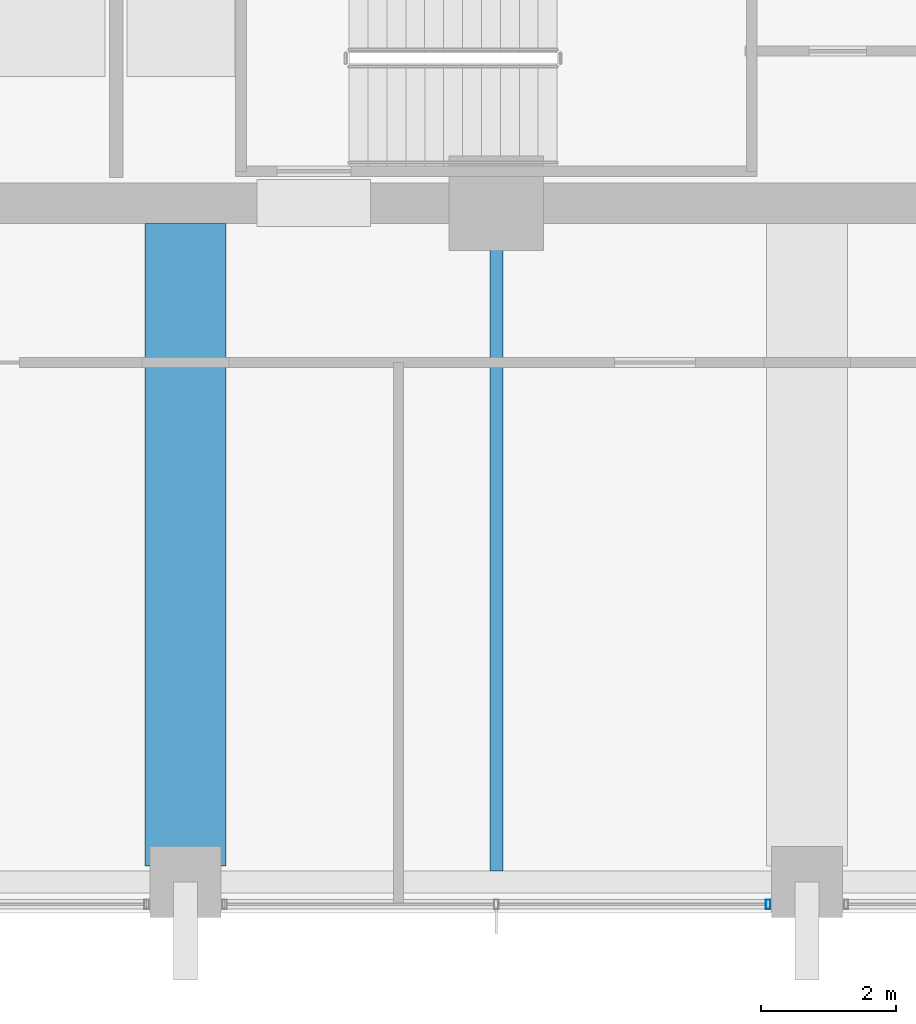
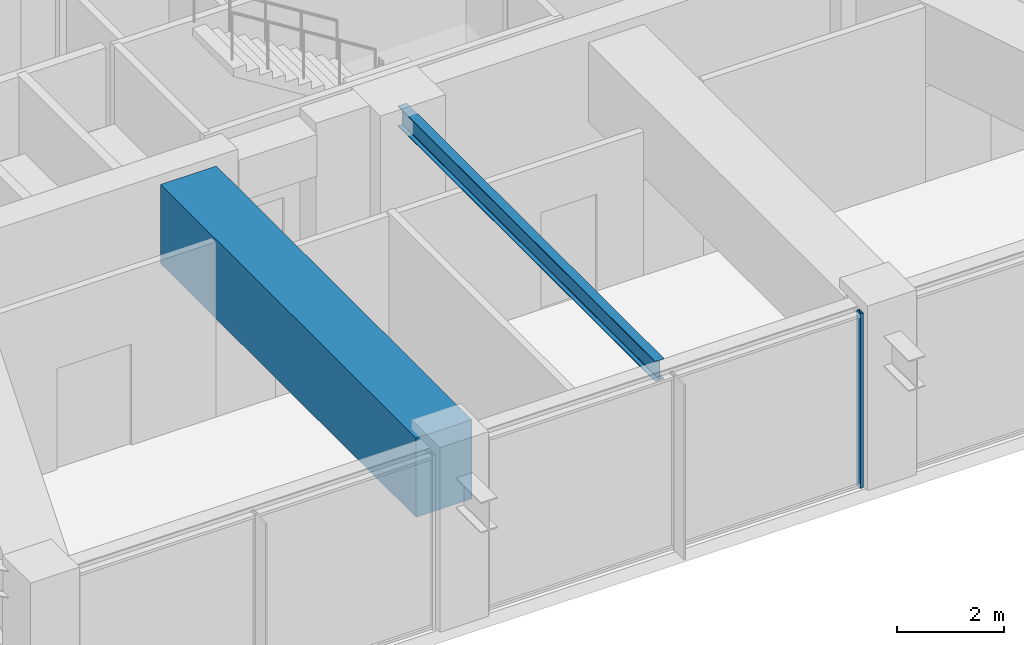
# One storey, part 6 of 40: 2 beams, 1 member, 1 element without a shape of its own.
"""IFC4 building model written with IfcOpenShell, lengths in metres."""

from ifc_helpers import new_model, si_unit, direction, frame, origin, origin_2d, place, context, subcontext, project, spatial, rectangle, hollow_rectangle, i_section, extrude, material, material_profile, profile_set, type_object, element, aggregate, save


model = new_model("IFC4")

# Units and contexts
model_context = context("Model", 3, precision=1e-05, world=origin(), true_north=direction((0.0, 1.0)))
body_context = subcontext(model_context, "Body", "Model", "MODEL_VIEW")
ifc_project = project(units=[si_unit("LENGTHUNIT", "METRE"), si_unit("AREAUNIT", "SQUARE_METRE"), si_unit("VOLUMEUNIT", "CUBIC_METRE"), si_unit("PLANEANGLEUNIT", "RADIAN"), si_unit("MASSUNIT", "GRAM", prefix="KILO")], contexts=[model_context])

# Site, building, storey
site_placement = place(None, origin())
site = spatial("IfcSite", under=ifc_project, at=site_placement, CompositionType="ELEMENT")
building_placement = place(site_placement, origin())
building = spatial("IfcBuilding", under=site, at=building_placement, Name="Kolvaren Belvedere", CompositionType="ELEMENT")
storey_placement = place(building_placement, frame((0.0, 0.0, 68.0)))
storey = spatial("IfcBuildingStorey", under=building, at=storey_placement, Name="L19", CompositionType="ELEMENT", Elevation=68.0)

# Beams
ifc_material_1 = material(Name="Structural steel ASTM A992 Grade 50", Category="steel")
ifc_material_profile_1 = material_profile(ifc_material_1, i_section(OverallWidth=0.19091796875, OverallDepth=0.4599609375, WebThickness=0.010009765625, FlangeThickness=0.01611328125, FilletRadius=0.014892578125, at=origin_2d()), Name="W18X55")
ifc_profile_set_1 = profile_set([ifc_material_profile_1], Name="Structural steel ASTM A992 Grade 50")
beam_type_1 = type_object("IfcBeamType", Name="BM-JOIST-W18X55", PredefinedType="BEAM", material=ifc_profile_set_1)
beam_1_placement = place(storey_placement, frame((0.0, -10.199951171875, 3.75), z_axis=(0.0, -1.0, 0.0), x_axis=(1.0, 0.0, 0.0)))
element("IfcBeam", 1, at=beam_1_placement, inside=storey, type_object=beam_type_1, Name="L19 South Centre Floor Beam", PredefinedType="BEAM", context=body_context, shape_type="SweptSolid", body=[
    extrude(i_section(OverallWidth=0.19091796875, OverallDepth=0.4599609375, WebThickness=0.010009765625, FlangeThickness=0.01611328125, FilletRadius=0.014892578125, at=origin_2d()), origin(), (0.0, 0.0, 1.0), 9.587646484375),
])
ifc_material_2 = material(Name="Concrete C50/60", Category="concrete")
ifc_material_profile_2 = material_profile(ifc_material_2, rectangle(XDim=1.199951171875, YDim=1.800048828125, at=origin_2d()), Name="RC 1200X1800")
ifc_profile_set_2 = profile_set([ifc_material_profile_2], Name="Concrete C50/60")
beam_type_2 = type_object("IfcBeamType", Name="BM-TG-1800", PredefinedType="BEAM", material=ifc_profile_set_2)
beam_2_placement = place(storey_placement, frame((-4.60009765625, -10.199951171875, 3.080078125), z_axis=(0.0, -1.0, 0.0), x_axis=(1.0, 0.0, 0.0)))
element("IfcBeam", 2, at=beam_2_placement, inside=storey, type_object=beam_type_2, Name="L19 South Radial Girder M", PredefinedType="BEAM", context=body_context, shape_type="SweptSolid", body=[
    extrude(rectangle(XDim=1.199951171875, YDim=1.800048828125, at=origin_2d()), origin(), (0.0, 0.0, 1.0), 9.513916015625),
])

# Curtain wall, member
ifc_material_3 = material(Name="Anodised pale-metal aluminium AA 6063-T6", Category="aluminium")
curtain_wall_type = type_object("IfcCurtainWallType", Name="CW-Z2-MID", PredefinedType="NOTDEFINED", material=ifc_material_3)
curtain_wall_placement = place(storey_placement, origin())
curtain_wall = element("IfcCurtainWall", 3, at=curtain_wall_placement, inside=storey, type_object=curtain_wall_type, Name="L19 Unitised Curtain Wall FCW-L19-S-B2", PredefinedType="NOTDEFINED")
ifc_material_4 = material(Name="Anodised pale-metal aluminium AA 6063-T6", Category="aluminium")
ifc_material_profile_3 = material_profile(ifc_material_4, hollow_rectangle(XDim=0.06494140625, YDim=0.139892578125, WallThickness=0.00390625, at=origin_2d()), Name="ALU-MUL-140X65")
ifc_profile_set_3 = profile_set([ifc_material_profile_3], Name="Anodised pale-metal aluminium AA 6063-T6")
member_type = type_object("IfcMemberType", Name="CW-MUL-140", PredefinedType="MULLION", material=ifc_profile_set_3)
member_placement = place(storey_placement, frame((4.0224609375, -20.280029296875, 0.0), z_axis=(0.0, 0.0, 1.0), x_axis=(1.0, 0.0, 0.0)))
member = element("IfcMember", 4, at=member_placement, type_object=member_type, Name="FCW-L19-S-B2 Unitised Mullion 1", PredefinedType="MULLION", context=body_context, shape_type="SweptSolid", body=[
    extrude(hollow_rectangle(XDim=0.06494140625, YDim=0.139892578125, WallThickness=0.00390625, at=origin_2d()), origin(), (0.0, 0.0, 1.0), 3.97998046875),
])
aggregate(curtain_wall, [member])

save(model, "model.ifc")
